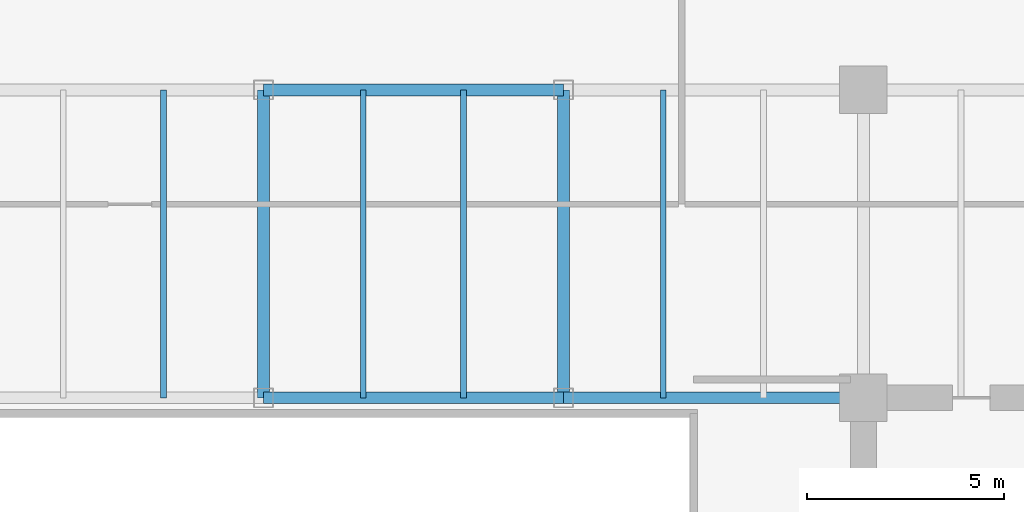
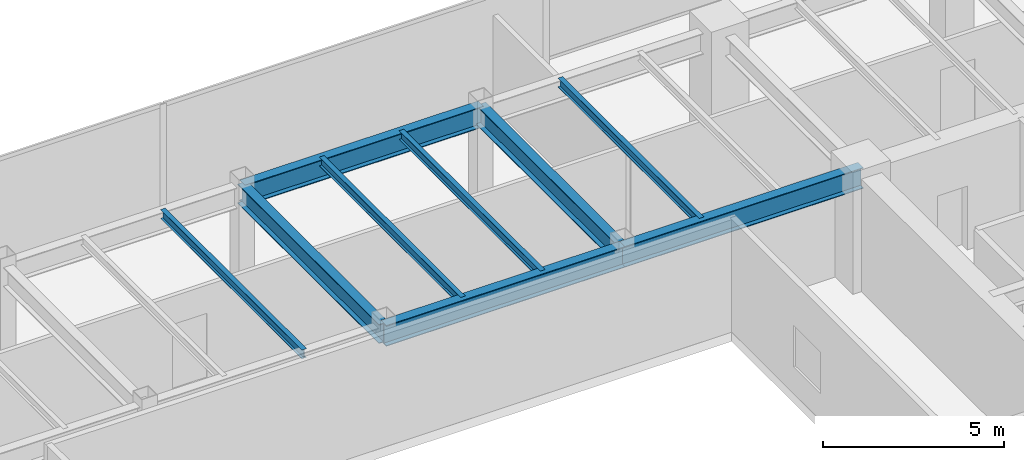
# One storey, part 17 of 30: 9 beams.
"""IFC4 building model written with IfcOpenShell, lengths in metres."""

import ifcopenshell
import ifcopenshell.guid

model = None  # the IFC model being written
_history = None  # IfcOwnerHistory: only IFC2X3 demands one
_inside = {}  # id of a spatial element -> (the spatial element, [elements in it])
_under = {}  # id of a project, library or spatial element -> (it, [spatial elements below it])
_declared = {}  # id of a project -> (the project, [libraries it declares])
_typed = {}  # id of a type object -> (the type object, [elements of that type])
_made_of = {}  # id of a material, layer set ... -> (it, [elements and type objects made of it])


def new_model(schema):
    """Start an empty IFC model of exactly this schema.

    Asked for "IFC4X3", IfcOpenShell would pick the latest addendum, in which some entities
    have other attributes; the version numbers below select the first issue.
    IFC2X3 requires an IfcOwnerHistory on every rooted entity: one is made here for all.
    """
    global model, _history
    if schema == "IFC4X3":
        model = ifcopenshell.file(schema_version=(4, 3, 0, 0))
    else:
        model = ifcopenshell.file(schema=schema)
    _inside.clear()
    _under.clear()
    _declared.clear()
    _typed.clear()
    _made_of.clear()
    _history = None
    if model.schema == "IFC2X3":
        org = make("IfcOrganization", Name="unknown")
        user = make(
            "IfcPersonAndOrganization",
            ThePerson=make("IfcPerson", FamilyName="unknown"),
            TheOrganization=org,
        )
        app = make(
            "IfcApplication",
            ApplicationDeveloper=org,
            Version="unknown",
            ApplicationFullName="unknown",
            ApplicationIdentifier="unknown",
        )
        _history = make(
            "IfcOwnerHistory",
            OwningUser=user,
            OwningApplication=app,
            ChangeAction="ADDED",
            CreationDate=0,
        )
    return model


def make(cls, **values):
    """One entity of the class cls with the attributes given. An attribute that is None is left unset."""
    return model.create_entity(
        cls, **{name: value for name, value in values.items() if value is not None}
    )


def rooted(cls, **values):
    """An entity with a GlobalId (a new one), such as an element, a storey or a relation."""
    return make(cls, GlobalId=ifcopenshell.guid.new(), OwnerHistory=_history, **values)


def si_unit(unit_type, name, prefix=None):
    """IfcSIUnit, for example si_unit("LENGTHUNIT", "METRE", prefix="MILLI")."""
    return make("IfcSIUnit", UnitType=unit_type, Prefix=prefix, Name=name)


def assignment(units):
    """IfcUnitAssignment: the units of a project."""
    return None if units is None else make("IfcUnitAssignment", Units=units)


def point(xyz):
    """IfcCartesianPoint."""
    return None if xyz is None else make("IfcCartesianPoint", Coordinates=xyz)


def direction(xyz):
    """IfcDirection."""
    return None if xyz is None else make("IfcDirection", DirectionRatios=xyz)


def frame(location, z_axis=None, x_axis=None):
    """IfcAxis2Placement3D, a coordinate frame: its origin and axes. An axis left out is left unset."""
    return make(
        "IfcAxis2Placement3D",
        Location=point(location),
        Axis=direction(z_axis),
        RefDirection=direction(x_axis),
    )


def frame_2d(location, x_axis=None):
    """IfcAxis2Placement2D, a coordinate frame in the plane: its origin and x axis."""
    return make(
        "IfcAxis2Placement2D", Location=point(location), RefDirection=direction(x_axis)
    )


def origin():
    """The frame at (0, 0, 0) with its axes left unset."""
    return frame((0.0, 0.0, 0.0))


def origin_2d():
    """The frame at (0, 0) in the plane with its x axis left unset."""
    return frame_2d((0.0, 0.0))


def place(relative_to, where):
    """IfcLocalPlacement: puts the frame where relative to a parent placement (None: the world)."""
    return make(
        "IfcLocalPlacement", PlacementRelTo=relative_to, RelativePlacement=where
    )


def context(
    kind, dimensions, precision=None, world=None, true_north=None, identifier=None
):
    """IfcGeometricRepresentationContext, for example the 3D "Model" context."""
    return make(
        "IfcGeometricRepresentationContext",
        ContextIdentifier=identifier,
        ContextType=kind,
        CoordinateSpaceDimension=dimensions,
        Precision=precision,
        WorldCoordinateSystem=world,
        TrueNorth=true_north,
    )


def subcontext(parent, identifier, kind, view, scale=None):
    """IfcGeometricRepresentationSubContext, for example "Body" below "Model"."""
    return make(
        "IfcGeometricRepresentationSubContext",
        ContextIdentifier=identifier,
        ContextType=kind,
        ParentContext=parent,
        TargetScale=scale,
        TargetView=view,
    )


def project(units=None, contexts=None):
    """IfcProject with its units and contexts."""
    return rooted(
        "IfcProject",
        Name="project",
        RepresentationContexts=contexts,
        UnitsInContext=assignment(units),
    )


def spatial(cls, under=None, at=None, **own):
    """A site, building, storey or space (cls), placed at a placement, below another one or the project."""
    s = rooted(cls, ObjectPlacement=at, **own)
    if under is not None:
        _under.setdefault(under.id(), (under, []))[1].append(s)
    return s


def profile(cls, at=None, kind="AREA", **sizes):
    """A parametric profile (cls). Its sizes go by their IFC names, for example OverallWidth=200.0."""
    return make(cls, ProfileType=kind, Position=at, **sizes)


def i_section(**sizes):
    """IfcIShapeProfileDef."""
    return profile("IfcIShapeProfileDef", **sizes)


def extrude(swept, where, along, depth):
    """IfcExtrudedAreaSolid: the profile swept, set in the frame where, extruded along a direction by depth."""
    return make(
        "IfcExtrudedAreaSolid",
        SweptArea=swept,
        Position=where,
        ExtrudedDirection=direction(along),
        Depth=depth,
    )


def shape(context_of_items, identifier, shape_type, items):
    """IfcShapeRepresentation: the items that make up one representation, for example the "Body"."""
    return make(
        "IfcShapeRepresentation",
        ContextOfItems=context_of_items,
        RepresentationIdentifier=identifier,
        RepresentationType=shape_type,
        Items=items,
    )


def source(mapping_origin, context_of_items, identifier, shape_type, items):
    """IfcRepresentationMap: a shape defined once, which mapped items show again and again."""
    return make(
        "IfcRepresentationMap",
        MappingOrigin=mapping_origin,
        MappedRepresentation=shape(context_of_items, identifier, shape_type, items),
    )


def transform(
    local_origin,
    x_axis=None,
    y_axis=None,
    z_axis=None,
    scale=None,
    scale2=None,
    scale3=None,
    uniform=True,
):
    """IfcCartesianTransformationOperator3D, or its non-uniform kind. x_axis, y_axis, z_axis: its Axis1, 2, 3."""
    if uniform:
        return make(
            "IfcCartesianTransformationOperator3D",
            Axis1=direction(x_axis),
            Axis2=direction(y_axis),
            LocalOrigin=point(local_origin),
            Scale=scale,
            Axis3=direction(z_axis),
        )
    return make(
        "IfcCartesianTransformationOperator3DnonUniform",
        Axis1=direction(x_axis),
        Axis2=direction(y_axis),
        LocalOrigin=point(local_origin),
        Scale=scale,
        Axis3=direction(z_axis),
        Scale2=scale2,
        Scale3=scale3,
    )


def mapped(mapping_source, mapping_target):
    """IfcMappedItem: shows the shape of a source again, moved by a transform."""
    return make(
        "IfcMappedItem", MappingSource=mapping_source, MappingTarget=mapping_target
    )


def material(Name=None, Category=None):
    """IfcMaterial."""
    return make("IfcMaterial", Name=Name, Category=Category)


def material_profile(
    of_material, cross_section, Name=None, Category=None, Priority=None
):
    """IfcMaterialProfile: a cross section and its material."""
    return make(
        "IfcMaterialProfile",
        Name=Name,
        Material=of_material,
        Profile=cross_section,
        Priority=Priority,
        Category=Category,
    )


def profile_set(profiles, Name=None, composite=None):
    """IfcMaterialProfileSet."""
    return make(
        "IfcMaterialProfileSet",
        Name=Name,
        MaterialProfiles=profiles,
        CompositeProfile=composite,
    )


def made_of(thing, what):
    """Note that an element or type object is made of a material, layer set ...; save() writes the relation."""
    if what is not None:
        _made_of.setdefault(what.id(), (what, []))[1].append(thing)
    return thing


def type_object(cls, material=None, **own):
    """A type object (cls), such as IfcWallType, which elements share."""
    return made_of(rooted(cls, **own), material)


def type_shapes(of_type, sources):
    """Give a type object the sources (RepresentationMaps) that its elements show as mapped items."""
    of_type.RepresentationMaps = sources


def element(
    cls,
    number,
    at=None,
    inside=None,
    cuts=None,
    type_object=None,
    material=None,
    context=None,
    identifier="Body",
    shape_type=None,
    held_by="IfcProductDefinitionShape",
    body=None,
    shapes=None,
    **own,
):
    """One element of the class cls, such as IfcWall. Its Tag is "e" and its number.

    at: its placement. inside: the storey or other place that contains it. cuts: it is an
    opening in that element (IfcRelVoidsElement). A single representation is given by context,
    identifier, shape_type and body (its items); several are given by shapes. held_by: the class
    of the entity that holds the representations. save() writes the other relations.
    """
    e = rooted(cls, Tag="e%d" % number, ObjectPlacement=at, **own)
    if body is not None:
        shapes = [shape(context, identifier, shape_type, body)]
    if shapes is not None:
        e.Representation = make(held_by, Representations=shapes)
    if inside is not None:
        _inside.setdefault(inside.id(), (inside, []))[1].append(e)
    if cuts is not None:
        rooted(
            "IfcRelVoidsElement", RelatingBuildingElement=cuts, RelatedOpeningElement=e
        )
    if type_object is not None:
        _typed.setdefault(type_object.id(), (type_object, []))[1].append(e)
    return made_of(e, material)


def aggregate(whole, parts):
    """IfcRelAggregates: a whole, such as a stair, and the parts it consists of."""
    return rooted("IfcRelAggregates", RelatingObject=whole, RelatedObjects=parts)


def save(model, path):
    """Write the relations noted so far, then the file.

    IfcRelAggregates (storeys below a building ...), IfcRelContainedInSpatialStructure (elements
    in a storey), IfcRelDefinesByType, IfcRelAssociatesMaterial and IfcRelDeclares: one each for
    every whole, place, type object, material and project.
    """
    for whole, parts in _under.values():
        aggregate(whole, parts)
    for where, things in _inside.values():
        rooted(
            "IfcRelContainedInSpatialStructure",
            RelatedElements=things,
            RelatingStructure=where,
        )
    for kind, things in _typed.values():
        rooted("IfcRelDefinesByType", RelatedObjects=things, RelatingType=kind)
    for what, things in _made_of.values():
        rooted("IfcRelAssociatesMaterial", RelatedObjects=things, RelatingMaterial=what)
    for by, libraries in _declared.values():
        rooted("IfcRelDeclares", RelatingContext=by, RelatedDefinitions=libraries)
    model.write(path)


model = new_model("IFC4")

# Units and contexts
model_context = context("Model", 3, precision=1e-05, world=origin(), true_north=direction((0.0, 1.0)))
body_context = subcontext(model_context, "Body", "Model", "MODEL_VIEW")
ifc_project = project(units=[si_unit("LENGTHUNIT", "METRE"), si_unit("AREAUNIT", "SQUARE_METRE"), si_unit("VOLUMEUNIT", "CUBIC_METRE"), si_unit("PLANEANGLEUNIT", "RADIAN"), si_unit("MASSUNIT", "GRAM", prefix="KILO")], contexts=[model_context])

# Site, building, storey
site_placement = place(None, origin())
site = spatial("IfcSite", under=ifc_project, at=site_placement, CompositionType="ELEMENT")
building_placement = place(site_placement, origin())
building = spatial("IfcBuilding", under=site, at=building_placement, Name="Haelvirn Gate Laboratories", CompositionType="ELEMENT")
storey_placement = place(building_placement, frame((0.0, 0.0, 125.60009765625)))
storey = spatial("IfcBuildingStorey", under=building, at=storey_placement, Name="L30", CompositionType="ELEMENT", Elevation=125.60009765625)

# Beams
ifc_material = material(Name="Steel SM355", Category="steel")
ifc_material_profile_1 = material_profile(ifc_material, i_section(OverallWidth=0.300048828125, OverallDepth=0.64990234375, WebThickness=0.012939453125, FlangeThickness=0.02197265625, at=origin_2d()), Name="H-650x300x13x22")
ifc_profile_set_1 = profile_set([ifc_material_profile_1], Name="Steel SM355")
beam_type_1 = type_object("IfcBeamType", Name="BM-G-650", PredefinedType="BEAM", material=ifc_profile_set_1)
shared_shape_1 = source(origin(), body_context, "Body", "SweptSolid", [
    extrude(i_section(OverallWidth=0.300048828125, OverallDepth=0.64990234375, WebThickness=0.012939453125, FlangeThickness=0.02197265625, at=origin_2d()), origin(), (0.0, 0.0, 1.0), 7.800048828125),
])
type_shapes(beam_type_1, [shared_shape_1])
for number, where, z_axis, x_axis, name in (
    (1, (37.39990234375, 33.800048828125, 3.46484375), (0.0, 1.0, 0.0), (-1.0, 0.0, 0.0), "L30 Frame Girder X37.4 (33.8-41.6)"),
    (2, (45.0, 33.800048828125, 3.46484375), (0.0, 1.0, 0.0), (-1.0, 0.0, 0.0), "L30 Frame Girder X45.0 (33.8-41.6)"),
):
    element("IfcBeam", number, at=place(storey_placement, frame(where, z_axis=z_axis, x_axis=x_axis)), inside=storey, type_object=beam_type_1, Name=name, PredefinedType="BEAM", context=body_context, shape_type="MappedRepresentation", body=[
        mapped(shared_shape_1, transform((0.0, 0.0, 0.0), scale=1.0)),
    ])
ifc_material_profile_2 = material_profile(ifc_material, i_section(OverallWidth=0.300048828125, OverallDepth=0.699951171875, WebThickness=0.012939453125, FlangeThickness=0.02392578125, at=origin_2d()), Name="H-700x300x13x24")
ifc_profile_set_2 = profile_set([ifc_material_profile_2], Name="Steel SM355")
beam_type_2 = type_object("IfcBeamType", Name="BM-G-700", PredefinedType="BEAM", material=ifc_profile_set_2)
shared_shape_2 = source(origin(), body_context, "Body", "SweptSolid", [
    extrude(i_section(OverallWidth=0.300048828125, OverallDepth=0.699951171875, WebThickness=0.012939453125, FlangeThickness=0.02392578125, at=origin_2d()), origin(), (0.0, 0.0, 1.0), 7.60009765625),
])
type_shapes(beam_type_2, [shared_shape_2])
for number, where, z_axis, x_axis, name in (
    (3, (37.39990234375, 33.800048828125, 3.43994140625), (1.0, 0.0, 0.0), (0.0, 1.0, 0.0), "L30 Primary Girder Y33.8 (37.4-45.0)"),
    (4, (45.0, 33.800048828125, 3.43994140625), (1.0, 0.0, 0.0), (0.0, 1.0, 0.0), "L30 Primary Girder Y33.8 (45.0-52.6)"),
    (5, (37.39990234375, 41.60009765625, 3.43994140625), (1.0, 0.0, 0.0), (0.0, 1.0, 0.0), "L30 Primary Girder Y41.6 (37.4-45.0)"),
):
    element("IfcBeam", number, at=place(storey_placement, frame(where, z_axis=z_axis, x_axis=x_axis)), inside=storey, type_object=beam_type_2, Name=name, PredefinedType="BEAM", context=body_context, shape_type="MappedRepresentation", body=[
        mapped(shared_shape_2, transform((0.0, 0.0, 0.0), scale=1.0)),
    ])
ifc_material_profile_3 = material_profile(ifc_material, i_section(OverallWidth=0.14990234375, OverallDepth=0.300048828125, WebThickness=0.006591796875, FlangeThickness=0.009033203125, at=origin_2d()), Name="H-300x150x6.5x9")
ifc_profile_set_3 = profile_set([ifc_material_profile_3], Name="Steel SM355")
beam_type_3 = type_object("IfcBeamType", Name="BM-J-300", PredefinedType="JOIST", material=ifc_profile_set_3)
shared_shape_3 = source(origin(), body_context, "Body", "SweptSolid", [
    extrude(i_section(OverallWidth=0.14990234375, OverallDepth=0.300048828125, WebThickness=0.006591796875, FlangeThickness=0.009033203125, at=origin_2d()), origin(), (0.0, 0.0, 1.0), 7.800048828125),
])
type_shapes(beam_type_3, [shared_shape_3])
for number, where, z_axis, x_axis, name in (
    (6, (34.8701171875, 33.800048828125, 3.639892578125), (0.0, 1.0, 0.0), (-1.0, 0.0, 0.0), "L30 Composite Lab Joist North X34.87"),
    (7, (39.929931640625, 33.800048828125, 3.639892578125), (0.0, 1.0, 0.0), (-1.0, 0.0, 0.0), "L30 Composite Lab Joist North X39.93"),
    (8, (42.469970703125, 33.800048828125, 3.639892578125), (0.0, 1.0, 0.0), (-1.0, 0.0, 0.0), "L30 Composite Lab Joist North X42.47"),
    (9, (47.530029296875, 33.800048828125, 3.639892578125), (0.0, 1.0, 0.0), (-1.0, 0.0, 0.0), "L30 Composite Lab Joist North X47.53"),
):
    element("IfcBeam", number, at=place(storey_placement, frame(where, z_axis=z_axis, x_axis=x_axis)), inside=storey, type_object=beam_type_3, Name=name, PredefinedType="JOIST", context=body_context, shape_type="MappedRepresentation", body=[
        mapped(shared_shape_3, transform((0.0, 0.0, 0.0), scale=1.0)),
    ])

save(model, "model.ifc")
